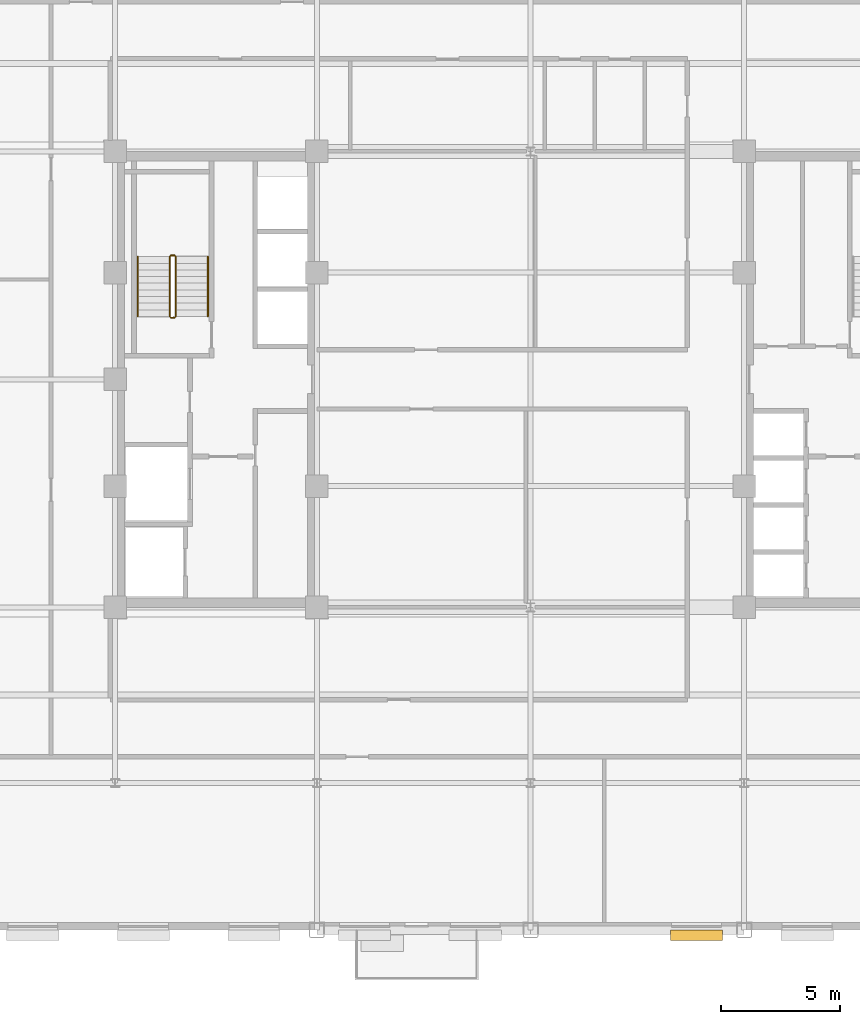
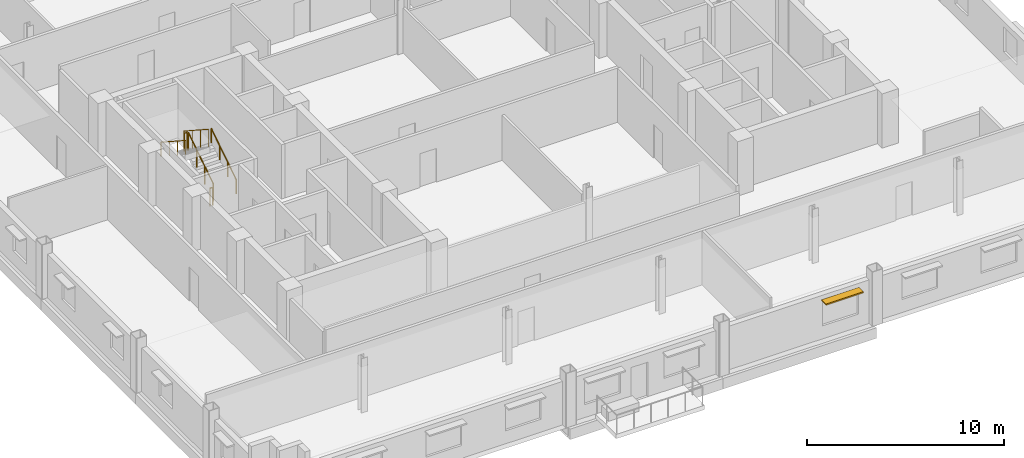
# One storey, part 12 of 14: 6 railings, 1 shading device.
"""IFC4 building model written with IfcOpenShell, lengths in metres."""

from ifc_helpers import new_model, si_unit, direction, frame, origin, origin_2d, place, context, subcontext, project, spatial, rectangle, circle, extrude, source, transform, mapped, material, type_object, type_shapes, element, save


model = new_model("IFC4")

# Units and contexts
model_context = context("Model", 3, precision=1e-05, world=origin(), true_north=direction((0.0, 1.0)))
body_context = subcontext(model_context, "Body", "Model", "MODEL_VIEW")
ifc_project = project(units=[si_unit("LENGTHUNIT", "METRE"), si_unit("AREAUNIT", "SQUARE_METRE"), si_unit("VOLUMEUNIT", "CUBIC_METRE"), si_unit("PLANEANGLEUNIT", "RADIAN"), si_unit("MASSUNIT", "GRAM", prefix="KILO")], contexts=[model_context])

# Site, building, storey
site_placement = place(None, origin())
site = spatial("IfcSite", under=ifc_project, at=site_placement, CompositionType="ELEMENT")
building_placement = place(site_placement, origin())
building = spatial("IfcBuilding", under=site, at=building_placement, Name="Nuvemarco Arch Tower", CompositionType="ELEMENT")
storey_placement = place(building_placement, frame((0.0, 0.0, 138.449951171875)))
storey = spatial("IfcBuildingStorey", under=building, at=storey_placement, Name="L36", CompositionType="ELEMENT", Elevation=138.449951171875)

# Railings
ifc_material_1 = material(Name="Brushed stainless steel handrail", Category="steel")
railing_type_1 = type_object("IfcRailingType", Name="RL-HANDRAIL-900", PredefinedType="HANDRAIL", material=ifc_material_1)
railing_1_placement = place(storey_placement, frame((-13.590087890625, 2.64990234375, 0.1826171875)))
element("IfcRailing", 1, at=railing_1_placement, inside=storey, type_object=railing_type_1, Name="L36 ST-1 stair handrail 1", PredefinedType="HANDRAIL", context=body_context, shape_type="SweptSolid", body=[
    extrude(circle(Radius=0.02392578125, at=origin_2d()), frame((0.0, 0.0, 0.8759765625), z_axis=(0.0, 0.837786554691, 0.545997883492), x_axis=(-1.0, 0.0, 0.0)), (0.0, 0.0, 1.0), 3.008056640625),
    extrude(circle(Radius=0.02099609375, at=origin_2d()), origin(), (0.0, 0.0, 1.0), 0.851806640625),
    extrude(circle(Radius=0.02099609375, at=origin_2d()), frame((0.0, 0.840087890625, 0.54736328125)), (0.0, 0.0, 1.0), 0.851806640625),
    extrude(circle(Radius=0.02099609375, at=origin_2d()), frame((0.0, 1.679931640625, 1.094970703125)), (0.0, 0.0, 1.0), 0.851806640625),
    extrude(circle(Radius=0.02099609375, at=origin_2d()), frame((0.0, 2.52001953125, 1.642333984375)), (0.0, 0.0, 1.0), 0.851806640625),
])
railing_2_placement = place(storey_placement, frame((-16.550048828125, 5.169921875, 2.007568359375)))
element("IfcRailing", 2, at=railing_2_placement, inside=storey, type_object=railing_type_1, Name="L36 ST-1 stair handrail 2", PredefinedType="HANDRAIL", context=body_context, shape_type="SweptSolid", body=[
    extrude(circle(Radius=0.02392578125, at=origin_2d()), frame((0.0, 0.0, 0.8759765625), z_axis=(0.0, -0.837749427056, 0.546054848405), x_axis=(1.0, 0.0, 0.0)), (0.0, 0.0, 1.0), 3.008056640625),
    extrude(circle(Radius=0.02099609375, at=origin_2d()), origin(), (0.0, 0.0, 1.0), 0.851806640625),
    extrude(circle(Radius=0.02099609375, at=origin_2d()), frame((0.0, -0.840087890625, 0.547607421875)), (0.0, 0.0, 1.0), 0.851806640625),
    extrude(circle(Radius=0.02099609375, at=origin_2d()), frame((0.0, -1.679931640625, 1.094970703125)), (0.0, 0.0, 1.0), 0.851806640625),
    extrude(circle(Radius=0.02099609375, at=origin_2d()), frame((0.0, -2.52001953125, 1.642578125)), (0.0, 0.0, 1.0), 0.851806640625),
])
ifc_material_2 = material(Name="Painted balustrade steel S355", Category="steel")
railing_type_2 = type_object("IfcRailingType", Name="RL-STAIR-GUARD", PredefinedType="GUARDRAIL", material=ifc_material_2)
railing_3_placement = place(storey_placement, frame((-14.93994140625, 2.64990234375, 0.1826171875)))
element("IfcRailing", 3, at=railing_3_placement, inside=storey, type_object=railing_type_2, Name="L36 ST-1 stair guard 1", PredefinedType="GUARDRAIL", context=body_context, shape_type="SweptSolid", body=[
    extrude(circle(Radius=0.02392578125, at=origin_2d()), frame((0.0, 0.0, 1.09619140625), z_axis=(0.0, 0.837786554691, 0.545997883492), x_axis=(-1.0, 0.0, 0.0)), (0.0, 0.0, 1.0), 3.008056640625),
    extrude(circle(Radius=0.02099609375, at=origin_2d()), origin(), (0.0, 0.0, 1.0), 1.072021484375),
    extrude(circle(Radius=0.02099609375, at=origin_2d()), frame((0.0, 0.840087890625, 0.54736328125)), (0.0, 0.0, 1.0), 1.072021484375),
    extrude(circle(Radius=0.02099609375, at=origin_2d()), frame((0.0, 1.679931640625, 1.094970703125)), (0.0, 0.0, 1.0), 1.072021484375),
    extrude(circle(Radius=0.02099609375, at=origin_2d()), frame((0.0, 2.52001953125, 1.642333984375)), (0.0, 0.0, 1.0), 1.072021484375),
])
railing_4_placement = place(storey_placement, frame((-14.989990234375, 5.219970703125, 1.824951171875)))
element("IfcRailing", 4, at=railing_4_placement, inside=storey, type_object=railing_type_2, Name="L36 ST-1 stair guard 2", PredefinedType="GUARDRAIL", context=body_context, shape_type="SweptSolid", body=[
    extrude(circle(Radius=0.02392578125, at=origin_2d()), frame((0.0, 0.0, 1.09619140625), z_axis=(-1.0, 0.0, 0.0), x_axis=(0.0, -1.0, 0.0)), (0.0, 0.0, 1.0), 0.159912109375),
    extrude(circle(Radius=0.02099609375, at=origin_2d()), origin(), (0.0, 0.0, 1.0), 1.072021484375),
    extrude(circle(Radius=0.02099609375, at=origin_2d()), frame((-0.159912109375, 0.0, 0.0)), (0.0, 0.0, 1.0), 1.072021484375),
])
railing_5_placement = place(storey_placement, frame((-15.199951171875, 5.169921875, 2.007568359375)))
element("IfcRailing", 5, at=railing_5_placement, inside=storey, type_object=railing_type_2, Name="L36 ST-1 stair guard 3", PredefinedType="GUARDRAIL", context=body_context, shape_type="SweptSolid", body=[
    extrude(circle(Radius=0.02392578125, at=origin_2d()), frame((0.0, 0.0, 1.09619140625), z_axis=(0.0, -0.837749427056, 0.546054848405), x_axis=(1.0, 0.0, 0.0)), (0.0, 0.0, 1.0), 3.008056640625),
    extrude(circle(Radius=0.02099609375, at=origin_2d()), origin(), (0.0, 0.0, 1.0), 1.072021484375),
    extrude(circle(Radius=0.02099609375, at=origin_2d()), frame((0.0, -0.840087890625, 0.547607421875)), (0.0, 0.0, 1.0), 1.072021484375),
    extrude(circle(Radius=0.02099609375, at=origin_2d()), frame((0.0, -1.679931640625, 1.094970703125)), (0.0, 0.0, 1.0), 1.072021484375),
    extrude(circle(Radius=0.02099609375, at=origin_2d()), frame((0.0, -2.52001953125, 1.642578125)), (0.0, 0.0, 1.0), 1.072021484375),
])
railing_6_placement = place(storey_placement, frame((-14.989990234375, 2.60009765625, 0.0)))
element("IfcRailing", 6, at=railing_6_placement, inside=storey, type_object=railing_type_2, Name="L36 ST-1 stair guard 4", PredefinedType="GUARDRAIL", context=body_context, shape_type="SweptSolid", body=[
    extrude(circle(Radius=0.02392578125, at=origin_2d()), frame((0.0, 0.0, 1.09619140625), z_axis=(-1.0, 0.0, 0.0), x_axis=(0.0, -1.0, 0.0)), (0.0, 0.0, 1.0), 0.159912109375),
    extrude(circle(Radius=0.02099609375, at=origin_2d()), origin(), (0.0, 0.0, 1.0), 1.072021484375),
    extrude(circle(Radius=0.02099609375, at=origin_2d()), frame((-0.159912109375, 0.0, 0.0)), (0.0, 0.0, 1.0), 1.072021484375),
])

# Shading device
ifc_material_3 = material(Name="Anodised aluminium 6063-T6", Category="aluminium")
shading_device_type = type_object("IfcShadingDeviceType", Name="SHD-BRISE-SOLEIL", PredefinedType="USERDEFINED", material=ifc_material_3)
shared_shape = source(origin(), body_context, "Body", "SweptSolid", [
    extrude(rectangle(XDim=2.199951171875, YDim=0.449951171875, at=origin_2d()), origin(), (0.0, 0.0, 1.0), 0.080078125),
])
type_shapes(shading_device_type, [shared_shape])
shading_device_placement = place(storey_placement, frame((6.989990234375, -23.4150390625, 2.364990234375), z_axis=(0.0, 0.0, 1.0), x_axis=(1.0, 0.0, 0.0)))
element("IfcShadingDevice", 7, at=shading_device_placement, inside=storey, type_object=shading_device_type, Name="L36 horizontal brise-soleil sunshade", ObjectType="SUNSHADE", PredefinedType="USERDEFINED", context=body_context, shape_type="MappedRepresentation", body=[
    mapped(shared_shape, transform((0.0, 0.0, 0.0), scale=1.0)),
])

save(model, "model.ifc")
